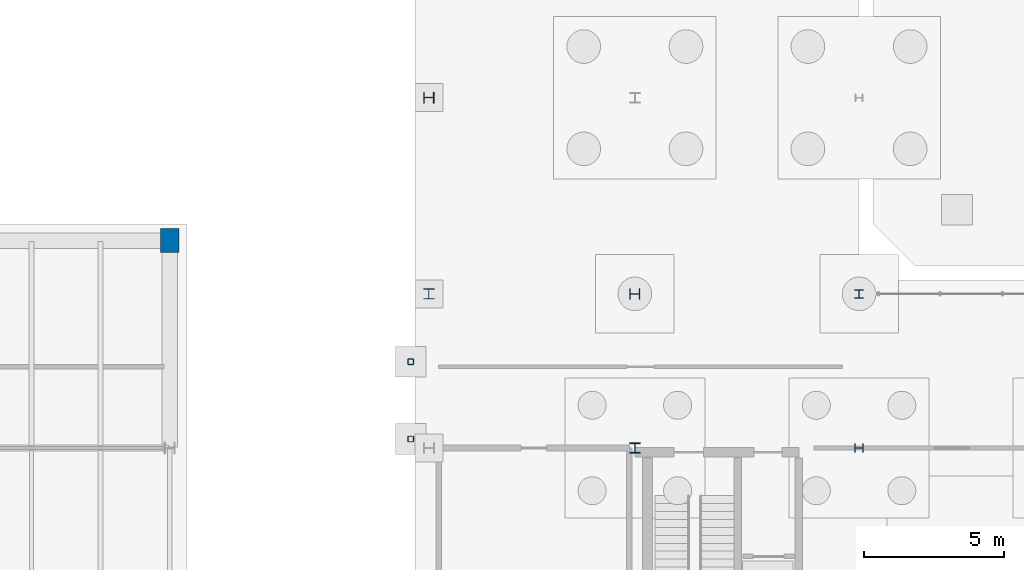
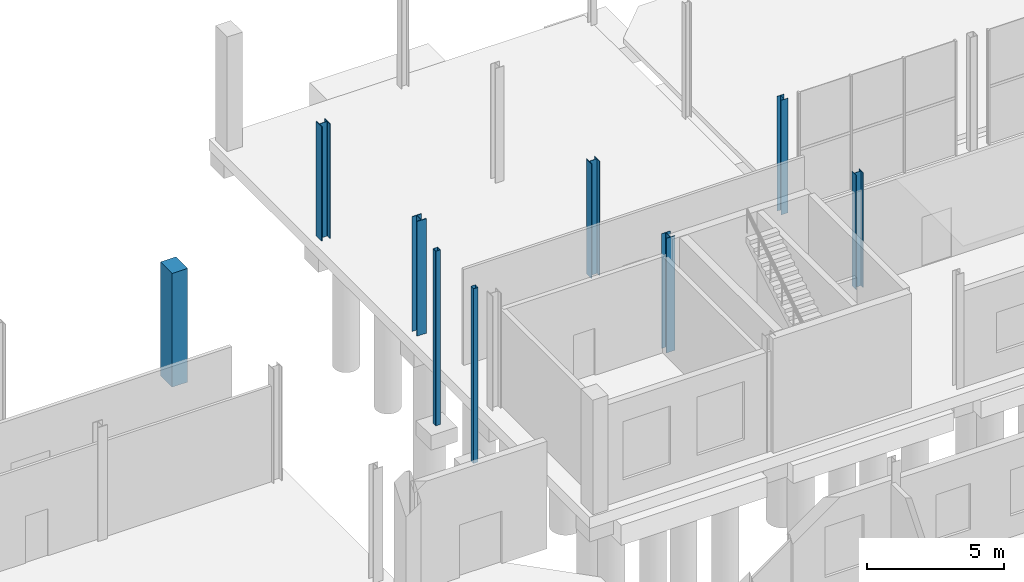
# One storey, part 25 of 87: 9 columns.
"""IFC4 building model written with IfcOpenShell, lengths in metres."""

from ifc_helpers import new_model, si_unit, direction, frame, origin, origin_2d, place, context, subcontext, project, spatial, rectangle, hollow_rectangle, i_section, extrude, material, material_profile, profile_set, type_object, element, save


model = new_model("IFC4")

# Units and contexts
model_context = context("Model", 3, precision=1e-05, world=origin(), true_north=direction((0.0, 1.0)))
body_context = subcontext(model_context, "Body", "Model", "MODEL_VIEW")
ifc_project = project(units=[si_unit("LENGTHUNIT", "METRE"), si_unit("AREAUNIT", "SQUARE_METRE"), si_unit("VOLUMEUNIT", "CUBIC_METRE"), si_unit("PLANEANGLEUNIT", "RADIAN"), si_unit("MASSUNIT", "GRAM", prefix="KILO")], contexts=[model_context])

# Site, building, storey
site_placement = place(None, origin())
site = spatial("IfcSite", under=ifc_project, at=site_placement, CompositionType="ELEMENT")
building_placement = place(site_placement, origin())
building = spatial("IfcBuilding", under=site, at=building_placement, Name="Brisemont Oceanarium", CompositionType="ELEMENT")
storey_placement = place(building_placement, origin())
storey = spatial("IfcBuildingStorey", under=building, at=storey_placement, Name="L00", CompositionType="ELEMENT", Elevation=0.0)

# Columns
ifc_material_1 = material(Name="Structural Steel ASTM A500 Gr.C", Category="steel")
ifc_material_profile_1 = material_profile(ifc_material_1, hollow_rectangle(XDim=0.202880859375, YDim=0.202880859375, WallThickness=0.0087890625, InnerFilletRadius=0.009033203125, OuterFilletRadius=0.01806640625, at=origin_2d()), Name="HSS8X8X3/8")
ifc_profile_set_1 = profile_set([ifc_material_profile_1], Name="Structural Steel ASTM A500 Gr.C")
column_type_1 = type_object("IfcColumnType", Name="COL-HSS8X8", PredefinedType="COLUMN", material=ifc_profile_set_1)
for number, where, z_axis, x_axis, name in (
    (1, (112.0, 88.320068359375, -2.39990234375), (0.0, 0.0, 1.0), (1.0, 0.0, 0.0), "Seismic bridge pier L00"),
    (2, (112.0, 91.080078125, -2.39990234375), (0.0, 0.0, 1.0), (1.0, 0.0, 0.0), "Seismic bridge pier L00"),
):
    element("IfcColumn", number, at=place(storey_placement, frame(where, z_axis=z_axis, x_axis=x_axis)), inside=storey, type_object=column_type_1, Name=name, PredefinedType="COLUMN", context=body_context, shape_type="SweptSolid", body=[
        extrude(hollow_rectangle(XDim=0.202880859375, YDim=0.202880859375, WallThickness=0.0087890625, InnerFilletRadius=0.009033203125, OuterFilletRadius=0.01806640625, at=origin_2d()), origin(), (0.0, 0.0, 1.0), 7.7998046875),
    ])
ifc_material_2 = material(Name="Structural Steel ASTM A992 Gr.50", Category="steel")
ifc_material_profile_2 = material_profile(ifc_material_2, i_section(OverallWidth=0.304931640625, OverallDepth=0.306884765625, WebThickness=0.010009765625, FlangeThickness=0.015380859375, FilletRadius=0.012939453125, at=origin_2d()), Name="W12X65")
ifc_profile_set_2 = profile_set([ifc_material_profile_2], Name="Structural Steel ASTM A992 Gr.50")
column_type_2 = type_object("IfcColumnType", Name="COL-W12X65", PredefinedType="COLUMN", material=ifc_profile_set_2)
column_1_placement = place(storey_placement, frame((128.0, 93.5, 0.0), z_axis=(0.0, 0.0, 1.0), x_axis=(1.0, 0.0, 0.0)))
element("IfcColumn", 3, at=column_1_placement, inside=storey, type_object=column_type_2, Name="V6 L00 column (2,2)", PredefinedType="COLUMN", context=body_context, shape_type="SweptSolid", body=[
    extrude(i_section(OverallWidth=0.304931640625, OverallDepth=0.306884765625, WebThickness=0.010009765625, FlangeThickness=0.015380859375, FilletRadius=0.012939453125, at=origin_2d()), origin(), (0.0, 0.0, 1.0), 5.1201171875),
])
ifc_material_3 = material(Name="Structural Steel ASTM A992 Gr.50", Category="steel")
ifc_material_profile_3 = material_profile(ifc_material_3, i_section(OverallWidth=0.305908203125, OverallDepth=0.31103515625, WebThickness=0.010986328125, FlangeThickness=0.01708984375, FilletRadius=0.012939453125, at=origin_2d()), Name="W12X72")
ifc_profile_set_3 = profile_set([ifc_material_profile_3], Name="Structural Steel ASTM A992 Gr.50")
column_type_3 = type_object("IfcColumnType", Name="COL-W12X72", PredefinedType="COLUMN", material=ifc_profile_set_3)
column_2_placement = place(storey_placement, frame((128.0, 88.0, 0.0), z_axis=(0.0, 0.0, 1.0), x_axis=(0.0, 1.0, 0.0)))
element("IfcColumn", 4, at=column_2_placement, inside=storey, type_object=column_type_3, Name="V6 L00 column (2,1)", PredefinedType="COLUMN", context=body_context, shape_type="SweptSolid", body=[
    extrude(i_section(OverallWidth=0.305908203125, OverallDepth=0.31103515625, WebThickness=0.010986328125, FlangeThickness=0.01708984375, FilletRadius=0.012939453125, at=origin_2d()), origin(), (0.0, 0.0, 1.0), 5.1201171875),
])
ifc_material_4 = material(Name="Structural Steel ASTM A992 Gr.50", Category="steel")
ifc_material_profile_4 = material_profile(ifc_material_4, i_section(OverallWidth=0.37109375, OverallDepth=0.364013671875, WebThickness=0.01318359375, FlangeThickness=0.021728515625, FilletRadius=0.014892578125, at=origin_2d()), Name="W14X109")
ifc_profile_set_4 = profile_set([ifc_material_profile_4], Name="Structural Steel ASTM A992 Gr.50")
column_type_4 = type_object("IfcColumnType", Name="COL-W14X109", PredefinedType="COLUMN", material=ifc_profile_set_4)
column_3_placement = place(storey_placement, frame((120.0, 88.0, 0.0), z_axis=(0.0, 0.0, 1.0), x_axis=(1.0, 0.0, 0.0)))
element("IfcColumn", 5, at=column_3_placement, inside=storey, type_object=column_type_4, Name="V6 L00 column (1,1)", PredefinedType="COLUMN", context=body_context, shape_type="SweptSolid", body=[
    extrude(i_section(OverallWidth=0.37109375, OverallDepth=0.364013671875, WebThickness=0.01318359375, FlangeThickness=0.021728515625, FilletRadius=0.014892578125, at=origin_2d()), origin(), (0.0, 0.0, 1.0), 5.1201171875),
])
ifc_material_5 = material(Name="Structural Steel ASTM A992 Gr.50", Category="steel")
ifc_material_profile_5 = material_profile(ifc_material_5, i_section(OverallWidth=0.39404296875, OverallDepth=0.3759765625, WebThickness=0.017333984375, FlangeThickness=0.027587890625, FilletRadius=0.014892578125, at=origin_2d()), Name="W14X145")
ifc_profile_set_5 = profile_set([ifc_material_profile_5], Name="Structural Steel ASTM A992 Gr.50")
column_type_5 = type_object("IfcColumnType", Name="COL-W14X145", PredefinedType="COLUMN", material=ifc_profile_set_5)
column_4_placement = place(storey_placement, frame((112.64990234375, 100.5, 0.0), z_axis=(0.0, 0.0, 1.0), x_axis=(0.0, 1.0, 0.0)))
element("IfcColumn", 6, at=column_4_placement, inside=storey, type_object=column_type_5, Name="V6 L00 column (0,3)", PredefinedType="COLUMN", context=body_context, shape_type="SweptSolid", body=[
    extrude(i_section(OverallWidth=0.39404296875, OverallDepth=0.3759765625, WebThickness=0.017333984375, FlangeThickness=0.027587890625, FilletRadius=0.014892578125, at=origin_2d()), origin(), (0.0, 0.0, 1.0), 5.1201171875),
])
ifc_material_6 = material(Name="Structural Steel ASTM A992 Gr.50", Category="steel")
ifc_material_profile_6 = material_profile(ifc_material_6, i_section(OverallWidth=0.39501953125, OverallDepth=0.3798828125, WebThickness=0.018798828125, FlangeThickness=0.0302734375, FilletRadius=0.014892578125, at=origin_2d()), Name="W14X159")
ifc_profile_set_6 = profile_set([ifc_material_profile_6], Name="Structural Steel ASTM A992 Gr.50")
column_type_6 = type_object("IfcColumnType", Name="COL-W14X159", PredefinedType="COLUMN", material=ifc_profile_set_6)
column_5_placement = place(storey_placement, frame((112.64990234375, 93.5, 0.0), z_axis=(0.0, 0.0, 1.0), x_axis=(1.0, 0.0, 0.0)))
element("IfcColumn", 7, at=column_5_placement, inside=storey, type_object=column_type_6, Name="V6 L00 column (0,2)", PredefinedType="COLUMN", context=body_context, shape_type="SweptSolid", body=[
    extrude(i_section(OverallWidth=0.39501953125, OverallDepth=0.3798828125, WebThickness=0.018798828125, FlangeThickness=0.0302734375, FilletRadius=0.014892578125, at=origin_2d()), origin(), (0.0, 0.0, 1.0), 5.1201171875),
])
ifc_material_7 = material(Name="Structural Steel ASTM A992 Gr.50", Category="steel")
ifc_material_profile_7 = material_profile(ifc_material_7, i_section(OverallWidth=0.37109375, OverallDepth=0.361083984375, WebThickness=0.01220703125, FlangeThickness=0.019775390625, FilletRadius=0.014892578125, at=origin_2d()), Name="W14X99")
ifc_profile_set_7 = profile_set([ifc_material_profile_7], Name="Structural Steel ASTM A992 Gr.50")
column_type_7 = type_object("IfcColumnType", Name="COL-W14X99", PredefinedType="COLUMN", material=ifc_profile_set_7)
column_6_placement = place(storey_placement, frame((120.0, 93.5, 0.0), z_axis=(0.0, 0.0, 1.0), x_axis=(0.0, 1.0, 0.0)))
element("IfcColumn", 8, at=column_6_placement, inside=storey, type_object=column_type_7, Name="V6 L00 column (1,2)", PredefinedType="COLUMN", context=body_context, shape_type="SweptSolid", body=[
    extrude(i_section(OverallWidth=0.37109375, OverallDepth=0.361083984375, WebThickness=0.01220703125, FlangeThickness=0.019775390625, FilletRadius=0.014892578125, at=origin_2d()), origin(), (0.0, 0.0, 1.0), 5.1201171875),
])
ifc_material_8 = material(Name="Precast Concrete C40/50", Category="concrete")
ifc_material_profile_8 = material_profile(ifc_material_8, rectangle(XDim=0.64990234375, YDim=0.85009765625, at=origin_2d()), Name="RC-PIL-650X850")
ifc_profile_set_8 = profile_set([ifc_material_profile_8], Name="Precast Concrete C40/50")
column_type_8 = type_object("IfcColumnType", Name="PIL-RC650X850", PredefinedType="PILASTER", material=ifc_profile_set_8)
column_7_placement = place(storey_placement, frame((103.39990234375, 95.39990234375, 0.0), z_axis=(0.0, 0.0, 1.0), x_axis=(1.0, 0.0, 0.0)))
element("IfcColumn", 9, at=column_7_placement, inside=storey, type_object=column_type_8, Name="V7E L00 column (6,2)", PredefinedType="PILASTER", context=body_context, shape_type="SweptSolid", body=[
    extrude(rectangle(XDim=0.64990234375, YDim=0.85009765625, at=origin_2d()), origin(), (0.0, 0.0, 1.0), 5.080078125),
])

save(model, "model.ifc")
